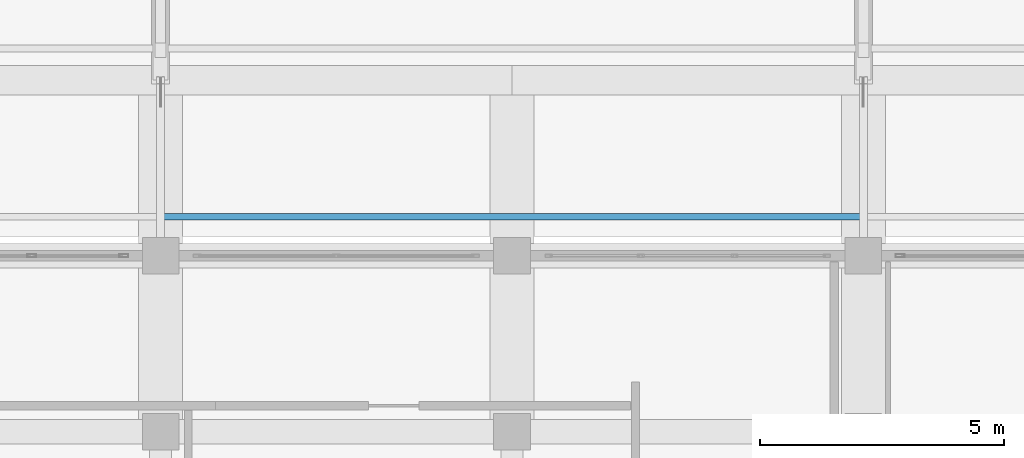
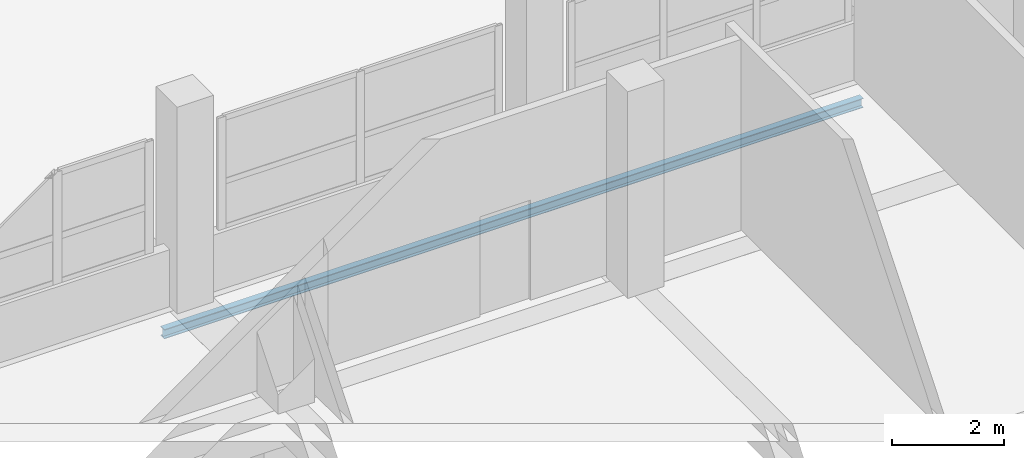
# One storey, part 88 of 141: 1 member.
"""IFC4 building model written with IfcOpenShell, lengths in metres."""

from ifc_helpers import new_model, si_unit, direction, frame, origin, origin_2d, place, context, subcontext, project, spatial, i_section, extrude, material, material_profile, profile_set, type_object, element, save


model = new_model("IFC4")

# Units and contexts
model_context = context("Model", 3, precision=1e-05, world=origin(), true_north=direction((0.0, 1.0)))
body_context = subcontext(model_context, "Body", "Model", "MODEL_VIEW")
ifc_project = project(units=[si_unit("LENGTHUNIT", "METRE"), si_unit("AREAUNIT", "SQUARE_METRE"), si_unit("VOLUMEUNIT", "CUBIC_METRE"), si_unit("PLANEANGLEUNIT", "RADIAN"), si_unit("MASSUNIT", "GRAM", prefix="KILO")], contexts=[model_context])

# Site, building, storey
site_placement = place(None, origin())
site = spatial("IfcSite", under=ifc_project, at=site_placement, CompositionType="ELEMENT")
building_placement = place(site_placement, origin())
building = spatial("IfcBuilding", under=site, at=building_placement, Name="Seraya Terrace Polytechnic", CompositionType="ELEMENT")
storey_placement = place(building_placement, frame((0.0, 0.0, 14.39990234375)))
storey = spatial("IfcBuildingStorey", under=building, at=storey_placement, Name="L03", CompositionType="ELEMENT", Elevation=14.39990234375)

# Member
ifc_material = material(Name="Steel S355J2", Category="steel")
ifc_material_profile = material_profile(ifc_material, i_section(OverallWidth=0.133056640625, OverallDepth=0.202880859375, WebThickness=0.00634765625, FlangeThickness=0.01171875, at=origin_2d()), Name="UKB 203x133x6.4x11.8")
ifc_profile_set = profile_set([ifc_material_profile], Name="Steel S355J2")
member_type = type_object("IfcMemberType", Name="PR-02", PredefinedType="PURLIN", material=ifc_profile_set)
member_placement = place(storey_placement, frame((72.0, 76.39990234375, -1.247802734375), z_axis=(1.0, 0.0, 0.0), x_axis=(0.0, 1.0, 0.0)))
element("IfcMember", 1, at=member_placement, inside=storey, type_object=member_type, Name="Workshop roof purlin PR-02 bay 5.1", PredefinedType="PURLIN", context=body_context, shape_type="SweptSolid", body=[
    extrude(i_section(OverallWidth=0.133056640625, OverallDepth=0.202880859375, WebThickness=0.00634765625, FlangeThickness=0.01171875, at=origin_2d()), origin(), (0.0, 0.0, 1.0), 14.39990234375),
])

save(model, "model.ifc")
